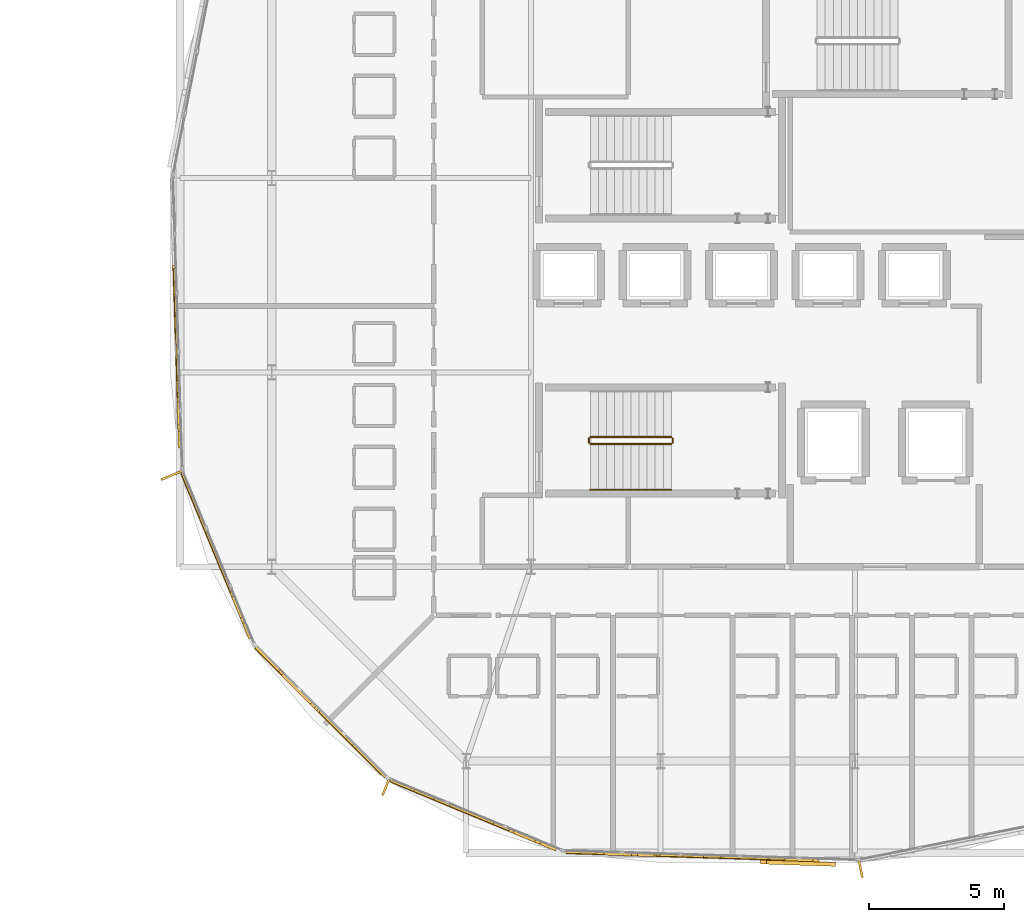
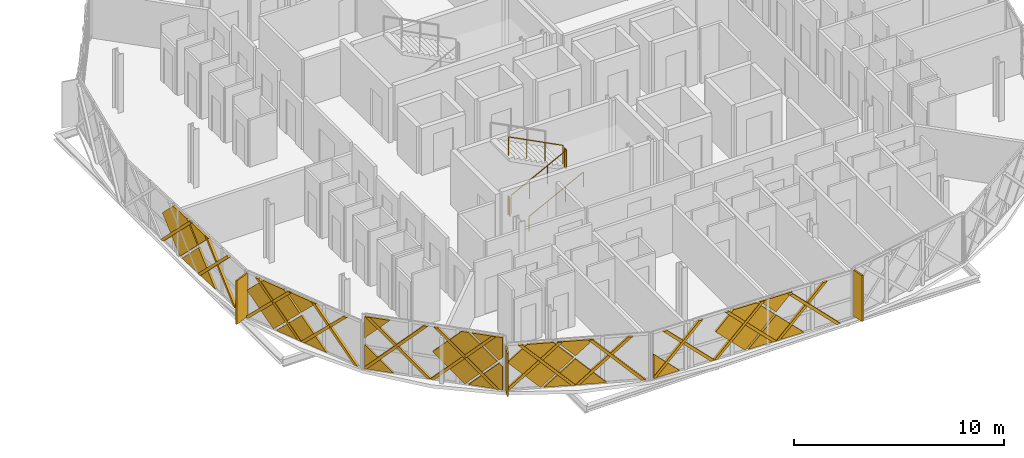
# One storey, part 46 of 50: 39 coverings, 5 railings, 3 shading devices.
"""IFC4 building model written with IfcOpenShell, lengths in metres."""

from ifc_helpers import new_model, si_unit, direction, frame, origin, origin_2d, place, context, subcontext, project, spatial, polyline, rectangle, circle, outline, extrude, material, layer, layer_set, type_object, element, save


model = new_model("IFC4")

# Units and contexts
model_context = context("Model", 3, precision=1e-05, world=origin(), true_north=direction((0.0, 1.0)))
body_context = subcontext(model_context, "Body", "Model", "MODEL_VIEW")
ifc_project = project(units=[si_unit("LENGTHUNIT", "METRE"), si_unit("AREAUNIT", "SQUARE_METRE"), si_unit("VOLUMEUNIT", "CUBIC_METRE"), si_unit("PLANEANGLEUNIT", "RADIAN"), si_unit("MASSUNIT", "GRAM", prefix="KILO")], contexts=[model_context])

# Site, building, storey
site_placement = place(None, origin())
site = spatial("IfcSite", under=ifc_project, at=site_placement, CompositionType="ELEMENT")
building_placement = place(site_placement, origin())
building = spatial("IfcBuilding", under=site, at=building_placement, Name="Zevrakil Square Congress Hotel", CompositionType="ELEMENT")
storey_placement = place(building_placement, frame((0.0, 0.0, 21.5)))
storey = spatial("IfcBuildingStorey", under=building, at=storey_placement, Name="L06", CompositionType="ELEMENT", Elevation=21.5)

# Coverings
ifc_material_1 = material(Name="Architectural White Fibre-C GRC", Category="concrete")
ifc_layer_1 = layer(ifc_material_1, 0.06494140625)
ifc_layer_set_1 = layer_set([ifc_layer_1], Name="Architectural White Fibre-C GRC")
covering_type_1 = type_object("IfcCoveringType", Name="COV-DIA-WHITE", PredefinedType="CLADDING", material=ifc_layer_set_1)
covering_1_placement = place(storey_placement, frame((123.658203125, 24.58544921875, 1.590087890625), z_axis=(-0.999500091755, -0.031610817429, 0.000568157757), x_axis=(0.021950640625, -0.706764897631, -0.70710787639)))
element("IfcCovering", 1, at=covering_1_placement, inside=storey, type_object=covering_type_1, Name="L06 45-degree white GRC diamond facade cassette 2586", PredefinedType="CLADDING", context=body_context, shape_type="SweptSolid", body=[
    extrude(outline(polyline([(0.0, 0.0), (2.135472982330829, 0.0), (0.00014165179083880375, -2.1353386344767626), (0.0, 0.0)])), origin(), (0.0, 0.0, -1.0), 0.1201171875),
])
covering_2_placement = place(storey_placement, frame((123.655517578125, 24.67529296875, 1.679931640625), z_axis=(-0.99950132264, -0.031572626111, 0.000524710376), x_axis=(-0.022696657079, 0.706761690603, -0.707087529556)))
element("IfcCovering", 2, at=covering_2_placement, inside=storey, type_object=covering_type_1, Name="L06 45-degree white GRC diamond facade cassette 2587", PredefinedType="CLADDING", context=body_context, shape_type="SweptSolid", body=[
    extrude(outline(polyline([(0.0, 0.0), (2.248439804182686, 0.0), (2.248695990238733, -2.2485742137688813), (0.8769450371725637, -2.2486062357491154), (0.00019296117409250968, -1.3719017762311574), (0.0, 0.0)])), origin(), (0.0, 0.0, -1.0), 0.1201171875),
])
covering_3_placement = place(storey_placement, frame((123.658447265625, 24.58544921875, 1.77001953125), z_axis=(-0.999499667487, -0.03162446908, 0.000554661303), x_axis=(-0.021972204634, 0.706837975856, 0.707034156255)))
element("IfcCovering", 3, at=covering_3_placement, inside=storey, type_object=covering_type_1, Name="L06 45-degree white GRC diamond facade cassette 2588", PredefinedType="CLADDING", context=body_context, shape_type="SweptSolid", body=[
    extrude(outline(polyline([(0.0, 0.0), (1.244470022722519, 1.1102230246251565e-16), (-0.0002770760755420598, -1.2444918320824248), (0.0, 0.0)])), origin(), (0.0, 0.0, -1.0), 0.1201171875),
])
covering_4_placement = place(storey_placement, frame((125.083984375, 17.251953125, 1.590087890625), z_axis=(-0.923868829979, -0.382708701533, 0.000659366859), x_axis=(0.270168816895, -0.653412944797, -0.707149442444)))
element("IfcCovering", 4, at=covering_4_placement, inside=storey, type_object=covering_type_1, Name="L06 45-degree white GRC diamond facade cassette 2595", PredefinedType="CLADDING", context=body_context, shape_type="SweptSolid", body=[
    extrude(outline(polyline([(0.0, 0.0), (2.1353474598036293, 0.0), (4.904370967317995e-05, -2.1355570221912767), (0.0, 0.0)])), origin(), (0.0, 0.0, -1.0), 0.1201171875),
])
covering_5_placement = place(storey_placement, frame((125.049560546875, 17.335205078125, 1.679931640625), z_axis=(-0.923876443542, -0.382690394583, 0.000615598726), x_axis=(-0.271011654347, 0.653128490786, -0.707089709819)))
element("IfcCovering", 5, at=covering_5_placement, inside=storey, type_object=covering_type_1, Name="L06 45-degree white GRC diamond facade cassette 2596", PredefinedType="CLADDING", context=body_context, shape_type="SweptSolid", body=[
    extrude(outline(polyline([(0.0, 0.0), (2.248432898356506, 2.220446049250313e-16), (2.2486760166075213, -2.2344126930045447), (2.2345204120652538, -2.248568975695694), (0.8768900456972368, -2.248561148416491), (-5.7870150013794586e-05, -1.371655252854672), (0.0, 0.0)])), origin(), (0.0, 0.0, -1.0), 0.1201171875),
])
covering_6_placement = place(storey_placement, frame((125.083984375, 17.251953125, 1.77001953125), z_axis=(-0.923862712841, -0.382723307016, 0.000747053299), x_axis=(-0.270153213359, 0.653507882135, 0.707067669533)))
element("IfcCovering", 6, at=covering_6_placement, inside=storey, type_object=covering_type_1, Name="L06 45-degree white GRC diamond facade cassette 2597", PredefinedType="CLADDING", context=body_context, shape_type="SweptSolid", body=[
    extrude(outline(polyline([(0.0, 0.0), (1.2444110378869615, -1.1102230246251565e-16), (-0.00014833971995531492, -1.2444224047390424), (0.0, 0.0)])), origin(), (0.0, 0.0, -1.0), 0.1201171875),
])
covering_7_placement = place(storey_placement, frame((127.566650390625, 12.784912109375, 0.080078125), z_axis=(-0.70702000412, -0.707193166012, 0.000734656192), x_axis=(-0.707193356855, 0.707020194917, 0.0)))
element("IfcCovering", 7, at=covering_7_placement, inside=storey, type_object=covering_type_1, Name="L06 45-degree white GRC diamond facade cassette 2602", PredefinedType="CLADDING", context=body_context, shape_type="SweptSolid", body=[
    extrude(outline(polyline([(0.0, 0.0), (1.4098977356545457, 0.0), (1.409897608826954, -1.4099124898538389), (0.0, 0.0)])), origin(), (0.0, 0.0, -1.0), 0.1201171875),
])
covering_8_placement = place(storey_placement, frame((131.251220703125, 9.101318359375, 1.590087890625), z_axis=(-0.707066247168, -0.707147076127, 0.000578654628), x_axis=(0.499223287996, -0.499745443004, -0.707835150949)))
element("IfcCovering", 8, at=covering_8_placement, inside=storey, type_object=covering_type_1, Name="L06 45-degree white GRC diamond facade cassette 2603", PredefinedType="CLADDING", context=body_context, shape_type="SweptSolid", body=[
    extrude(outline(polyline([(0.0, 0.0), (0.2624777242234617, 0.0), (1.1999285661426737, -0.9352764202656851), (0.0021904221140813807, -2.1354862172590687), (0.0, 0.0)])), origin(), (0.0, 0.0, -1.0), 0.1201171875),
])
covering_9_placement = place(storey_placement, frame((131.187744140625, 9.1650390625, 1.679931640625), z_axis=(-0.707143354487, -0.707069976719, 0.000569409114), x_axis=(-0.500303245295, 0.499785777405, -0.707043732347)))
element("IfcCovering", 9, at=covering_9_placement, inside=storey, type_object=covering_type_1, Name="L06 45-degree white GRC diamond facade cassette 2604", PredefinedType="CLADDING", context=body_context, shape_type="SweptSolid", body=[
    extrude(outline(polyline([(0.0, 0.0), (2.248579119325511, 2.220446049250313e-16), (2.2488573449333042, -2.2484570969949846), (0.21946914375854965, -2.248729105178503), (0.00021134532475231005, -2.0295103434402026), (0.0, 0.0)])), origin(), (0.0, 0.0, -1.0), 0.1201171875),
])
covering_10_placement = place(storey_placement, frame((126.5703125, 13.78271484375, 1.8701171875), z_axis=(-0.7071066724, -0.7071066724, 0.000554702234), x_axis=(0.000392233711, 0.000392233711, 0.999999846153)))
element("IfcCovering", 10, at=covering_10_placement, inside=storey, type_object=covering_type_1, Name="L06 45-degree white GRC diamond facade cassette 2605", PredefinedType="CLADDING", context=body_context, shape_type="SweptSolid", body=[
    extrude(outline(polyline([(0.0, 0.0), (1.2448732383953816, 0.0), (1.2448732383953816, -1.2450327407024853), (0.0, 0.0)])), origin(), (0.0, 0.0, -1.0), 0.1201171875),
])
covering_11_placement = place(storey_placement, frame((131.251220703125, 9.1015625, 1.77001953125), z_axis=(-0.707012020088, -0.707201254902, 0.00062331085), x_axis=(-0.499726229679, 0.50021577524, 0.707147702797)))
element("IfcCovering", 11, at=covering_11_placement, inside=storey, type_object=covering_type_1, Name="L06 45-degree white GRC diamond facade cassette 2606", PredefinedType="CLADDING", context=body_context, shape_type="SweptSolid", body=[
    extrude(outline(polyline([(0.0, 0.0), (1.9019657673247927, 0.0), (0.8198752663404578, -1.082216149285835), (-8.869322587756745e-06, -0.26242709525072605), (0.0, 0.0)])), origin(), (0.0, 0.0, -1.0), 0.1201171875),
])
covering_12_placement = place(storey_placement, frame((134.587890625, 7.59326171875, 1.590087890625), z_axis=(-0.382680146954, -0.923880735009, 0.000540931678), x_axis=(0.653140417013, -0.27095095192, -0.707101956805)))
element("IfcCovering", 12, at=covering_12_placement, inside=storey, type_object=covering_type_1, Name="L06 45-degree white GRC diamond facade cassette 2611", PredefinedType="CLADDING", context=body_context, shape_type="SweptSolid", body=[
    extrude(outline(polyline([(0.0, 0.0), (2.13549085968891, 0.0), (-0.00011061307341742044, -2.135572956774093), (0.0, 0.0)])), origin(), (0.0, 0.0, -1.0), 0.1201171875),
])
covering_13_placement = place(storey_placement, frame((134.5048828125, 7.627685546875, 1.679931640625), z_axis=(-0.382699980422, -0.923872452507, 0.000645355666), x_axis=(-0.653517870784, 0.270215858214, -0.70703449883)))
element("IfcCovering", 13, at=covering_13_placement, inside=storey, type_object=covering_type_1, Name="L06 45-degree white GRC diamond facade cassette 2612", PredefinedType="CLADDING", context=body_context, shape_type="SweptSolid", body=[
    extrude(outline(polyline([(0.0, 0.0), (2.248608396416923, 0.0), (2.2488504374617997, -2.2342371448602862), (2.2346959382176492, -2.248394532179207), (0.8770768437680475, -2.2485041030366495), (0.00022003759445221593, -1.371826089049557), (0.0, 0.0)])), origin(), (0.0, 0.0, -1.0), 0.1201171875),
])
covering_14_placement = place(storey_placement, frame((134.587890625, 7.593505859375, 1.77001953125), z_axis=(-0.382723367734, -0.923862859408, 0.000490709672), x_axis=(-0.653144263284, 0.270949903153, 0.707098805911)))
element("IfcCovering", 14, at=covering_14_placement, inside=storey, type_object=covering_type_1, Name="L06 45-degree white GRC diamond facade cassette 2613", PredefinedType="CLADDING", context=body_context, shape_type="SweptSolid", body=[
    extrude(outline(polyline([(0.0, 0.0), (1.2443562415111113, -1.1102230246251565e-16), (-0.00014853785217006088, -1.2444770065966537), (0.0, 0.0)])), origin(), (0.0, 0.0, -1.0), 0.1201171875),
])
covering_15_placement = place(storey_placement, frame((139.498291015625, 6.142333984375, 0.080078125), z_axis=(-0.031688854721, -0.99949764727, 0.000519219557), x_axis=(-0.999497781996, 0.031688858993, 0.0)))
element("IfcCovering", 15, at=covering_15_placement, inside=storey, type_object=covering_type_1, Name="L06 45-degree white GRC diamond facade cassette 2618", PredefinedType="CLADDING", context=body_context, shape_type="SweptSolid", body=[
    extrude(outline(polyline([(0.0, 0.0), (1.4098877585153653, 6.776263578034403e-21), (1.4099109681288853, -1.4099122994234), (0.0, 0.0)])), origin(), (0.0, 0.0, -1.0), 0.1201171875),
])
covering_16_placement = place(storey_placement, frame((144.705810546875, 5.978759765625, 1.590087890625), z_axis=(-0.031608260045, -0.999500069571, 0.000727202961), x_axis=(0.70675041326, -0.022864782053, -0.707093384991)))
element("IfcCovering", 16, at=covering_16_placement, inside=storey, type_object=covering_type_1, Name="L06 45-degree white GRC diamond facade cassette 2619", PredefinedType="CLADDING", context=body_context, shape_type="SweptSolid", body=[
    extrude(outline(polyline([(0.0, 0.0), (2.1355167474011854, 0.0), (-3.067431088421557e-05, -2.1354676370165535), (0.0, 0.0)])), origin(), (0.0, 0.0, -1.0), 0.1201171875),
])
covering_17_placement = place(storey_placement, frame((144.615966796875, 5.981689453125, 1.679931640625), z_axis=(-0.031571824834, -0.999501302007, 0.000605939363), x_axis=(-0.70682743453, 0.021898325001, -0.707046986527)))
element("IfcCovering", 17, at=covering_17_placement, inside=storey, type_object=covering_type_1, Name="L06 45-degree white GRC diamond facade cassette 2620", PredefinedType="CLADDING", context=body_context, shape_type="SweptSolid", body=[
    extrude(outline(polyline([(0.0, 0.0), (2.248568881441364, 2.220446049250313e-16), (2.2488248490543223, -2.2484453406566938), (0.8770956220112877, -2.248577828032274), (0.00012088679743771369, -1.3717509386345776), (0.0, 0.0)])), origin(), (0.0, 0.0, -1.0), 0.1201171875),
])
covering_18_placement = place(storey_placement, frame((144.705810546875, 5.978759765625, 1.77001953125), z_axis=(-0.031628853851, -0.999499526297, 0.000559049245), x_axis=(-0.706727384305, 0.02275968256, 0.707119792625)))
element("IfcCovering", 18, at=covering_18_placement, inside=storey, type_object=covering_type_1, Name="L06 45-degree white GRC diamond facade cassette 2621", PredefinedType="CLADDING", context=body_context, shape_type="SweptSolid", body=[
    extrude(outline(polyline([(0.0, 0.0), (1.2443193100749563, 0.0), (-0.000104520868435376, -1.244470018333256), (0.0, 0.0)])), origin(), (0.0, 0.0, -1.0), 0.1201171875),
])
ifc_material_2 = material(Name="Anodised Champagne Aluminium", Category="aluminium")
ifc_layer_2 = layer(ifc_material_2, 0.0849609375)
ifc_layer_set_2 = layer_set([ifc_layer_2], Name="Anodised Champagne Aluminium")
covering_type_2 = type_object("IfcCoveringType", Name="COV-DIAGRID-45", PredefinedType="MOLDING", material=ifc_layer_set_2)
covering_19_placement = place(storey_placement, frame((123.5322265625, 27.7568359375, 0.080078125), z_axis=(-0.999481309236, -0.032204230907, 3.27803e-07), x_axis=(-0.032204230907, 0.999481309236, 0.0)))
element("IfcCovering", 19, at=covering_19_placement, inside=storey, type_object=covering_type_2, Name="L06 45-degree aluminium diagrid rib 2590", PredefinedType="MOLDING", context=body_context, shape_type="SweptSolid", body=[
    extrude(outline(polyline([(0.0, 0.0), (0.2122683047342035, 4.1359030627651384e-25), (-2.357668240370098, -2.5698242187501386), (-2.5699365451043015, -2.5698242187501386), (0.0, 0.0)])), origin(), (0.0, 0.0, -1.0), 0.14501953125),
])
covering_20_placement = place(storey_placement, frame((123.63818359375, 24.398681640625, 0.080078125), z_axis=(-0.999498897233, -0.031647921329, 0.000602913866), x_axis=(-0.031647926878, 0.999499078901, 3.35973e-07)))
element("IfcCovering", 20, at=covering_20_placement, inside=storey, type_object=covering_type_2, Name="L06 45-degree aluminium diagrid rib 2591", PredefinedType="MOLDING", context=body_context, shape_type="SweptSolid", body=[
    extrude(outline(polyline([(0.0, 0.0), (0.21201652698044157, 8.470329472543003e-22), (-2.3579187561936013, -2.569825478019099), (-2.5701870280485006, -2.5698256205672725), (0.0, 0.0)])), origin(), (0.0, 0.0, -1.0), 0.14501953125),
])
covering_21_placement = place(storey_placement, frame((123.653076171875, 23.98095703125, 2.64990234375), z_axis=(-0.999479302952, -0.032241267837, 0.001274213131), x_axis=(0.032241294011, -0.99948011434, 0.0)))
element("IfcCovering", 21, at=covering_21_placement, inside=storey, type_object=covering_type_2, Name="L06 45-degree aluminium diagrid rib 2594", PredefinedType="MOLDING", context=body_context, shape_type="SweptSolid", body=[
    extrude(outline(polyline([(0.0, 0.0), (0.2120242908884683, 1.6940658945086007e-21), (2.7821025196311178, -2.5698263049603884), (2.5700782287426494, -2.5698263049603884), (0.0, 0.0)])), origin(), (0.0, 0.0, -1.0), 0.14501953125),
])
covering_22_placement = place(storey_placement, frame((123.845458984375, 20.17431640625, 0.080078125), z_axis=(-0.923744067096, -0.383010251109, 0.000214590865), x_axis=(-0.383010259909, 0.923744088373, 9.4809e-08)))
element("IfcCovering", 22, at=covering_22_placement, inside=storey, type_object=covering_type_2, Name="L06 45-degree aluminium diagrid rib 2598", PredefinedType="MOLDING", context=body_context, shape_type="SweptSolid", body=[
    extrude(outline(polyline([(0.0, 0.0), (0.08614427683041445, -8.470329472543003e-22), (0.08614428877416364, -0.12597655959943696), (-2.357743467346067, -2.569824504942814), (-2.569977090274137, -2.569824527660094), (0.0, 0.0)])), origin(), (0.0, 0.0, -1.0), 0.14501953125),
])
covering_23_placement = place(storey_placement, frame((125.131103515625, 17.0703125, 0.080078125), z_axis=(-0.923841306942, -0.382775370166, 0.000505552066), x_axis=(-0.382775419008, 0.923841425031, 1.57567e-07)))
element("IfcCovering", 23, at=covering_23_placement, inside=storey, type_object=covering_type_2, Name="L06 45-degree aluminium diagrid rib 2599", PredefinedType="MOLDING", context=body_context, shape_type="SweptSolid", body=[
    extrude(outline(polyline([(0.0, 0.0), (0.21191461474254927, 0.0), (-2.3580620838180315, -2.5698249187044326), (-2.57029569681352, -2.5698249855361994), (0.0, 0.0)])), origin(), (0.0, 0.0, -1.0), 0.14501953125),
])
covering_24_placement = place(storey_placement, frame((124.006591796875, 19.788818359375, 2.64990234375), z_axis=(-0.923637148668, -0.383266256083, 0.001180909838), x_axis=(0.383266523609, -0.923637792579, 2.606e-07)))
element("IfcCovering", 24, at=covering_24_placement, inside=storey, type_object=covering_type_2, Name="L06 45-degree aluminium diagrid rib 2600", PredefinedType="MOLDING", context=body_context, shape_type="SweptSolid", body=[
    extrude(outline(polyline([(0.0, 0.0), (0.21200812060798999, -2.710505431213761e-20), (2.7820830541067725, -2.5698267356357722), (2.5698494359908284, -2.5698266250781776), (0.0, 0.0)])), origin(), (0.0, 0.0, -1.0), 0.14501953125),
])
covering_25_placement = place(storey_placement, frame((125.29248046875, 16.684814453125, 2.64990234375), z_axis=(-0.923925581883, -0.38257192525, 0.000491073125), x_axis=(0.382571971498, -0.923925693237, 2.60963e-07)))
element("IfcCovering", 25, at=covering_25_placement, inside=storey, type_object=covering_type_2, Name="L06 45-degree aluminium diagrid rib 2601", PredefinedType="MOLDING", context=body_context, shape_type="SweptSolid", body=[
    extrude(outline(polyline([(0.0, 0.0), (0.21223359330527425, 6.776263578034403e-21), (2.7822167149556947, -2.5698252546662768), (2.5700765230106497, -2.5698251439203683), (0.0, 0.0)])), origin(), (0.0, 0.0, -1.0), 0.14501953125),
])
covering_26_placement = place(storey_placement, frame((126.61279296875, 13.703369140625, 0.080078125), z_axis=(-0.706985697662, -0.707227728137, 0.000404791278), x_axis=(-0.707227786059, 0.706985755604, 6.9277e-08)))
element("IfcCovering", 26, at=covering_26_placement, inside=storey, type_object=covering_type_2, Name="L06 45-degree aluminium diagrid rib 2607", PredefinedType="MOLDING", context=body_context, shape_type="SweptSolid", body=[
    extrude(outline(polyline([(0.0, 0.0), (0.08597147750828427, -3.3881317890172014e-21), (0.08597148623550502, -0.12597655217899278), (-2.822902896876752, -3.034912559536062), (-3.034896821334931, -3.034912559536062), (0.0, 0.0)])), origin(), (0.0, 0.0, -1.0), 0.14501953125),
])
covering_27_placement = place(storey_placement, frame((128.988525390625, 11.327392578125, 0.080078125), z_axis=(-0.707394117061, -0.706818531937, 0.001061158384), x_axis=(-0.706818930221, 0.707394515021, -4.31892e-07)))
element("IfcCovering", 27, at=covering_27_placement, inside=storey, type_object=covering_type_2, Name="L06 45-degree aluminium diagrid rib 2608", PredefinedType="MOLDING", context=body_context, shape_type="SweptSolid", body=[
    extrude(outline(polyline([(0.0, 0.0), (0.21199391000445955, 0.0), (-2.822903086823882, -3.0349125989299517), (-3.0350697005673606, -3.03491241573846), (0.0, 0.0)])), origin(), (0.0, 0.0, -1.0), 0.14501953125),
])
covering_28_placement = place(storey_placement, frame((126.580810546875, 13.73779296875, 3.114990234375), z_axis=(-0.70710666679, -0.70710666679, 0.000568825249), x_axis=(0.707106781187, -0.707106781187, 0.0)))
element("IfcCovering", 28, at=covering_28_placement, inside=storey, type_object=covering_type_2, Name="L06 45-degree aluminium diagrid rib 2609", PredefinedType="MOLDING", context=body_context, shape_type="SweptSolid", body=[
    extrude(outline(polyline([(0.0, 0.0), (0.21199392756276378, 0.0), (3.246890708143698, -3.034912600366484), (3.034896780580934, -3.034912600366484), (0.0, 0.0)])), origin(), (0.0, 0.0, -1.0), 0.14501953125),
])
covering_29_placement = place(storey_placement, frame((128.95654296875, 11.362060546875, 3.114990234375), z_axis=(-0.706818807861, -0.707393924874, 0.001003944909), x_axis=(0.707394281077, -0.706819164355, -4.08273e-07)))
element("IfcCovering", 29, at=covering_29_placement, inside=storey, type_object=covering_type_2, Name="L06 45-degree aluminium diagrid rib 2610", PredefinedType="MOLDING", context=body_context, shape_type="SweptSolid", body=[
    extrude(outline(polyline([(0.0, 0.0), (0.21233917698745872, 2.710505431213761e-20), (3.2472362436403324, -3.0349123130675326), (3.035069629925421, -3.034912486382062), (0.0, 0.0)])), origin(), (0.0, 0.0, -1.0), 0.14501953125),
])
covering_30_placement = place(storey_placement, frame((131.645751953125, 8.783935546875, 0.080078125), z_axis=(-0.382192502009, -0.924082723313, 0.000109010159), x_axis=(-0.924082728801, 0.382192504285, 4.8323e-08)))
element("IfcCovering", 30, at=covering_30_placement, inside=storey, type_object=covering_type_2, Name="L06 45-degree aluminium diagrid rib 2614", PredefinedType="MOLDING", context=body_context, shape_type="SweptSolid", body=[
    extrude(outline(polyline([(0.0, 0.0), (0.08614427677431903, 4.235164736271502e-22), (0.08614428286183898, -0.12597656175149655), (-2.3578437955851426, -2.5698243494302755), (-2.5699840159586405, -2.5698243624789607), (0.0, 0.0)])), origin(), (0.0, 0.0, -1.0), 0.14501953125),
])
covering_31_placement = place(storey_placement, frame((134.75, 7.498291015625, 0.080078125), z_axis=(-0.38257192525, -0.923925581883, 0.000491073125), x_axis=(-0.923925693335, 0.382571971261, -2.61078e-07)))
element("IfcCovering", 31, at=covering_31_placement, inside=storey, type_object=covering_type_2, Name="L06 45-degree aluminium diagrid rib 2615", PredefinedType="MOLDING", context=body_context, shape_type="SweptSolid", body=[
    extrude(outline(polyline([(0.0, 0.0), (0.21214019194507416, 6.776263578034403e-21), (-2.3578442712595087, -2.5698239130290004), (-2.570077864564754, -2.5698238022343327), (0.0, 0.0)])), origin(), (0.0, 0.0, -1.0), 0.14501953125),
])
covering_32_placement = place(storey_placement, frame((132.0322265625, 8.62548828125, 2.64990234375), z_axis=(-0.383062898873, -0.92372224563, 0.000168627506), x_axis=(0.923722258763, -0.383062904319, 0.0)))
element("IfcCovering", 32, at=covering_32_placement, inside=storey, type_object=covering_type_2, Name="L06 45-degree aluminium diagrid rib 2616", PredefinedType="MOLDING", context=body_context, shape_type="SweptSolid", body=[
    extrude(outline(polyline([(0.0, 0.0), (0.21223362327273487, -1.6940658945086007e-21), (2.7822109860603303, -2.5698242552867794), (2.5699773627875953, -2.5698242552867794), (0.0, 0.0)])), origin(), (0.0, 0.0, -1.0), 0.14501953125),
])
covering_33_placement = place(storey_placement, frame((135.13671875, 7.339599609375, 2.64990234375), z_axis=(-0.382487344111, -0.923960391497, 0.000791542135), x_axis=(0.923960680946, -0.382487463933, 0.0)))
element("IfcCovering", 33, at=covering_33_placement, inside=storey, type_object=covering_type_2, Name="L06 45-degree aluminium diagrid rib 2617", PredefinedType="MOLDING", context=body_context, shape_type="SweptSolid", body=[
    extrude(outline(polyline([(0.0, 0.0), (0.21191462503525568, 0.0), (2.781891219357322, -2.569825023797863), (2.5699765943220663, -2.569825023797863), (0.0, 0.0)])), origin(), (0.0, 0.0, -1.0), 0.14501953125),
])
covering_34_placement = place(storey_placement, frame((138.17431640625, 6.1591796875, 0.080078125), z_axis=(-0.031651044542, -0.999498767939, 0.000651358805), x_axis=(-0.999498979972, 0.03165105108, -2.71294e-07)))
element("IfcCovering", 34, at=covering_34_placement, inside=storey, type_object=covering_type_2, Name="L06 45-degree aluminium diagrid rib 2622", PredefinedType="MOLDING", context=body_context, shape_type="SweptSolid", body=[
    extrude(outline(polyline([(0.0, 0.0), (0.08597944397267884, 2.117582368135751e-22), (0.08598713710338055, -0.12597669472163034), (-2.3578198665980468, -2.5698240958015464), (-2.5700804115138176, -2.5698241206367913), (0.0, 0.0)])), origin(), (0.0, 0.0, -1.0), 0.14501953125),
])
covering_35_placement = place(storey_placement, frame((141.53271484375, 6.052978515625, 0.080078125), z_axis=(-0.03164792077, -0.999498879596, 0.000631504294), x_axis=(-0.999499078887, 0.031647927317, 3.74905e-07)))
element("IfcCovering", 35, at=covering_35_placement, inside=storey, type_object=covering_type_2, Name="L06 45-degree aluminium diagrid rib 2623", PredefinedType="MOLDING", context=body_context, shape_type="SweptSolid", body=[
    extrude(outline(polyline([(0.0, 0.0), (0.21202425352514195, -8.470329472543003e-22), (-2.3578182110632993, -2.569825615128483), (-2.5700787563734924, -2.569825774195039), (0.0, 0.0)])), origin(), (0.0, 0.0, -1.0), 0.14501953125),
])
covering_36_placement = place(storey_placement, frame((144.89111328125, 5.947021484375, 0.080078125), z_axis=(-0.031073070948, -0.999517115503, 8.856091e-06), x_axis=(-0.999517115542, 0.031073070949, -1.58e-10)))
element("IfcCovering", 36, at=covering_36_placement, inside=storey, type_object=covering_type_2, Name="L06 45-degree aluminium diagrid rib 2624", PredefinedType="MOLDING", context=body_context, shape_type="SweptSolid", body=[
    extrude(outline(polyline([(0.0, 0.0), (0.21226058259809433, -6.617444900424222e-24), (-2.3578273045115674, -2.56982421847763), (-2.569843864376375, -2.5698242184104845), (0.0, 0.0)])), origin(), (0.0, 0.0, -1.0), 0.14501953125),
])
covering_37_placement = place(storey_placement, frame((138.592041015625, 6.147705078125, 2.64990234375), z_axis=(-0.031647921329, -0.999498897233, 0.000602913866), x_axis=(0.999499078888, -0.031647927283, -3.35574e-07)))
element("IfcCovering", 37, at=covering_37_placement, inside=storey, type_object=covering_type_2, Name="L06 45-degree aluminium diagrid rib 2625", PredefinedType="MOLDING", context=body_context, shape_type="SweptSolid", body=[
    extrude(outline(polyline([(0.0, 0.0), (0.21226827185494732, 0.0), (2.78220528078763, -2.5698237521855627), (2.570188753807236, -2.569823894564677), (0.0, 0.0)])), origin(), (0.0, 0.0, -1.0), 0.14501953125),
])
covering_38_placement = place(storey_placement, frame((141.950439453125, 6.04150390625, 2.64990234375), z_axis=(-0.031647921329, -0.999498897233, 0.000602913866), x_axis=(0.999499078888, -0.031647927296, -3.57932e-07)))
element("IfcCovering", 38, at=covering_38_placement, inside=storey, type_object=covering_type_2, Name="L06 45-degree aluminium diagrid rib 2626", PredefinedType="MOLDING", context=body_context, shape_type="SweptSolid", body=[
    extrude(outline(polyline([(0.0, 0.0), (0.21202425352514065, 0.0), (2.782205338242403, -2.5698236899824725), (2.5699447929322057, -2.5698238418475245), (0.0, 0.0)])), origin(), (0.0, 0.0, -1.0), 0.14501953125),
])
covering_39_placement = place(storey_placement, frame((145.30859375, 5.935302734375, 2.64990234375), z_axis=(0.032222751801, 0.999480712109, 1.973415e-05), x_axis=(0.999480712303, -0.032222751807, -3.66e-10)))
element("IfcCovering", 39, at=covering_39_placement, inside=storey, type_object=covering_type_2, Name="L06 45-degree aluminium diagrid rib 2627", PredefinedType="MOLDING", context=body_context, shape_type="SweptSolid", body=[
    extrude(outline(polyline([(0.0, 0.0), (0.21226830469775912, 2.6469779601696886e-23), (2.7822048503161816, 2.569824218232984), (2.5701805594641995, 2.569824218388141), (0.0, 0.0)])), origin(), (0.0, 0.0, -1.0), 0.14501953125),
])

# Railings
ifc_material_3 = material(Name="Steel S355", Category="steel")
railing_type_1 = type_object("IfcRailingType", Name="RLG-STAIR-GUARD-1100", PredefinedType="BALUSTRADE", material=ifc_material_3)
railing_1_placement = place(storey_placement, frame((139.0, 21.35009765625, 0.154541015625)))
element("IfcRailing", 40, at=railing_1_placement, inside=storey, type_object=railing_type_1, Name="L06 ST01 stair guard 1", PredefinedType="BALUSTRADE", context=body_context, shape_type="SweptSolid", body=[
    extrude(circle(Radius=0.02392578125, at=origin_2d()), frame((0.0, 0.0, 1.076171875), z_axis=(0.888979911393, 0.0, 0.45794619459), x_axis=(0.0, 1.0, 0.0)), (0.0, 0.0, 1.0), 3.374755859375),
    extrude(circle(Radius=0.02099609375, at=origin_2d()), origin(), (0.0, 0.0, 1.0), 1.052001953125),
    extrude(circle(Radius=0.02099609375, at=origin_2d()), frame((1.0, 0.0, 0.51513671875)), (0.0, 0.0, 1.0), 1.052001953125),
    extrude(circle(Radius=0.02099609375, at=origin_2d()), frame((2.0, 0.0, 1.0302734375)), (0.0, 0.0, 1.0), 1.052001953125),
    extrude(circle(Radius=0.02099609375, at=origin_2d()), frame((3.0, 0.0, 1.54541015625)), (0.0, 0.0, 1.0), 1.052001953125),
])
railing_2_placement = place(storey_placement, frame((142.050048828125, 21.39990234375, 1.699951171875)))
element("IfcRailing", 41, at=railing_2_placement, inside=storey, type_object=railing_type_1, Name="L06 ST01 stair guard 2", PredefinedType="BALUSTRADE", context=body_context, shape_type="SweptSolid", body=[
    extrude(circle(Radius=0.02392578125, at=origin_2d()), frame((0.0, 0.0, 1.076171875), z_axis=(0.0, 1.0, 0.0), x_axis=(-1.0, 0.0, 0.0)), (0.0, 0.0, 1.0), 0.150146484375),
    extrude(circle(Radius=0.02099609375, at=origin_2d()), origin(), (0.0, 0.0, 1.0), 1.052001953125),
    extrude(circle(Radius=0.02099609375, at=origin_2d()), frame((0.0, 0.150146484375, 0.0)), (0.0, 0.0, 1.0), 1.052001953125),
])
railing_3_placement = place(storey_placement, frame((142.0, 21.60009765625, 1.8544921875)))
element("IfcRailing", 42, at=railing_3_placement, inside=storey, type_object=railing_type_1, Name="L06 ST01 stair guard 3", PredefinedType="BALUSTRADE", context=body_context, shape_type="SweptSolid", body=[
    extrude(circle(Radius=0.02392578125, at=origin_2d()), frame((0.0, 0.0, 1.076171875), z_axis=(-0.888979911393, 0.0, 0.45794619459), x_axis=(0.0, -1.0, 0.0)), (0.0, 0.0, 1.0), 3.374755859375),
    extrude(circle(Radius=0.02099609375, at=origin_2d()), origin(), (0.0, 0.0, 1.0), 1.052001953125),
    extrude(circle(Radius=0.02099609375, at=origin_2d()), frame((-1.0, 0.0, 0.51513671875)), (0.0, 0.0, 1.0), 1.052001953125),
    extrude(circle(Radius=0.02099609375, at=origin_2d()), frame((-2.0, 0.0, 1.0302734375)), (0.0, 0.0, 1.0), 1.052001953125),
    extrude(circle(Radius=0.02099609375, at=origin_2d()), frame((-3.0, 0.0, 1.54541015625)), (0.0, 0.0, 1.0), 1.052001953125),
])
railing_4_placement = place(storey_placement, frame((138.949951171875, 21.39990234375, 0.0)))
element("IfcRailing", 43, at=railing_4_placement, inside=storey, type_object=railing_type_1, Name="L06 ST01 stair guard 4", PredefinedType="BALUSTRADE", context=body_context, shape_type="SweptSolid", body=[
    extrude(circle(Radius=0.02392578125, at=origin_2d()), frame((0.0, 0.0, 1.076171875), z_axis=(0.0, 1.0, 0.0), x_axis=(-1.0, 0.0, 0.0)), (0.0, 0.0, 1.0), 0.150146484375),
    extrude(circle(Radius=0.02099609375, at=origin_2d()), origin(), (0.0, 0.0, 1.0), 1.052001953125),
    extrude(circle(Radius=0.02099609375, at=origin_2d()), frame((0.0, 0.150146484375, 0.0)), (0.0, 0.0, 1.0), 1.052001953125),
])
ifc_material_4 = material(Name="Steel S355", Category="steel")
railing_type_2 = type_object("IfcRailingType", Name="RLG-STAIR-HAND-900", PredefinedType="HANDRAIL", material=ifc_material_4)
railing_5_placement = place(storey_placement, frame((139.0, 19.64990234375, 0.154541015625)))
element("IfcRailing", 44, at=railing_5_placement, inside=storey, type_object=railing_type_2, Name="L06 ST01 stair handrail 1", PredefinedType="HANDRAIL", context=body_context, shape_type="SweptSolid", body=[
    extrude(circle(Radius=0.02392578125, at=origin_2d()), frame((0.0, 0.0, 0.8759765625), z_axis=(0.888979911393, 0.0, 0.45794619459), x_axis=(0.0, 1.0, 0.0)), (0.0, 0.0, 1.0), 3.374755859375),
    extrude(circle(Radius=0.02099609375, at=origin_2d()), origin(), (0.0, 0.0, 1.0), 0.851806640625),
    extrude(circle(Radius=0.02099609375, at=origin_2d()), frame((1.0, 0.0, 0.51513671875)), (0.0, 0.0, 1.0), 0.851806640625),
    extrude(circle(Radius=0.02099609375, at=origin_2d()), frame((2.0, 0.0, 1.0302734375)), (0.0, 0.0, 1.0), 0.851806640625),
    extrude(circle(Radius=0.02099609375, at=origin_2d()), frame((3.0, 0.0, 1.54541015625)), (0.0, 0.0, 1.0), 0.851806640625),
])

# Shading devices
ifc_material_5 = material(Name="Aluminium Anodised Bronze", Category="aluminium")
shading_device_type_1 = type_object("IfcShadingDeviceType", Name="SHD-FIN-65", PredefinedType="USERDEFINED", material=ifc_material_5)
shading_device_1_placement = place(storey_placement, frame((149.011474609375, 5.609375, 0.10009765625), z_axis=(0.0, 0.0, 1.0), x_axis=(0.195090322016, -0.980785280403, 0.0)))
element("IfcShadingDevice", 45, at=shading_device_1_placement, inside=storey, type_object=shading_device_type_1, Name="L06 aluminium solar shading fin 137", ObjectType="SOLAR FIN", PredefinedType="USERDEFINED", context=body_context, shape_type="SweptSolid", body=[
    extrude(rectangle(XDim=0.64990234375, YDim=0.080078125, at=origin_2d()), origin(), (0.0, 0.0, 1.0), 2.679931640625),
])
shading_device_2_placement = place(storey_placement, frame((131.424560546875, 8.632080078125, 0.10009765625), z_axis=(0.0, 0.0, 1.0), x_axis=(-0.382683432365, -0.923879532511, 0.0)))
element("IfcShadingDevice", 46, at=shading_device_2_placement, inside=storey, type_object=shading_device_type_1, Name="L06 aluminium solar shading fin 145", ObjectType="SOLAR FIN", PredefinedType="USERDEFINED", context=body_context, shape_type="SweptSolid", body=[
    extrude(rectangle(XDim=0.64990234375, YDim=0.080078125, at=origin_2d()), origin(), (0.0, 0.0, 1.0), 2.530029296875),
])
ifc_material_6 = material(Name="Aluminium Anodised Bronze", Category="aluminium")
shading_device_type_2 = type_object("IfcShadingDeviceType", Name="SHD-FIN-85", PredefinedType="USERDEFINED", material=ifc_material_6)
shading_device_3_placement = place(storey_placement, frame((123.4892578125, 20.18505859375, 0.10009765625), z_axis=(0.0, 0.0, 1.0), x_axis=(-0.923879532511, -0.382683432365, 0.0)))
element("IfcShadingDevice", 47, at=shading_device_3_placement, inside=storey, type_object=shading_device_type_2, Name="L06 aluminium solar shading fin 144", ObjectType="SOLAR FIN", PredefinedType="USERDEFINED", context=body_context, shape_type="SweptSolid", body=[
    extrude(rectangle(XDim=0.85009765625, YDim=0.080078125, at=origin_2d()), origin(), (0.0, 0.0, 1.0), 2.530029296875),
])

save(model, "model.ifc")
